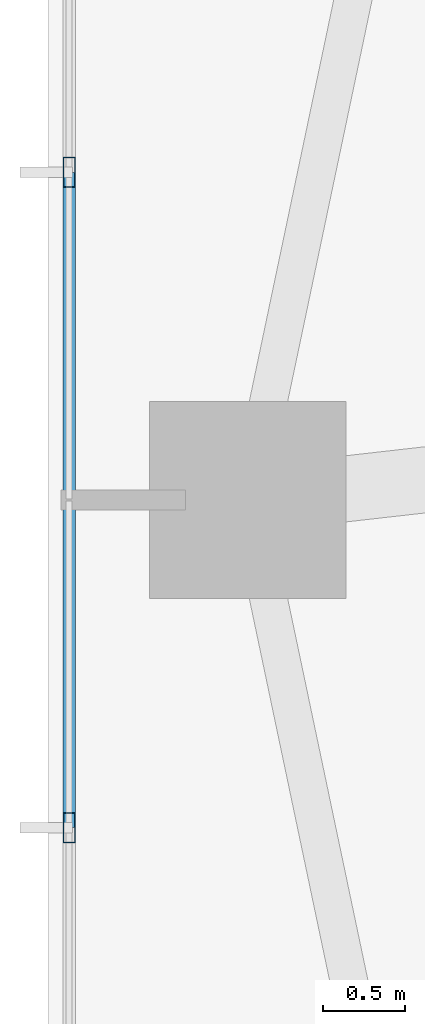
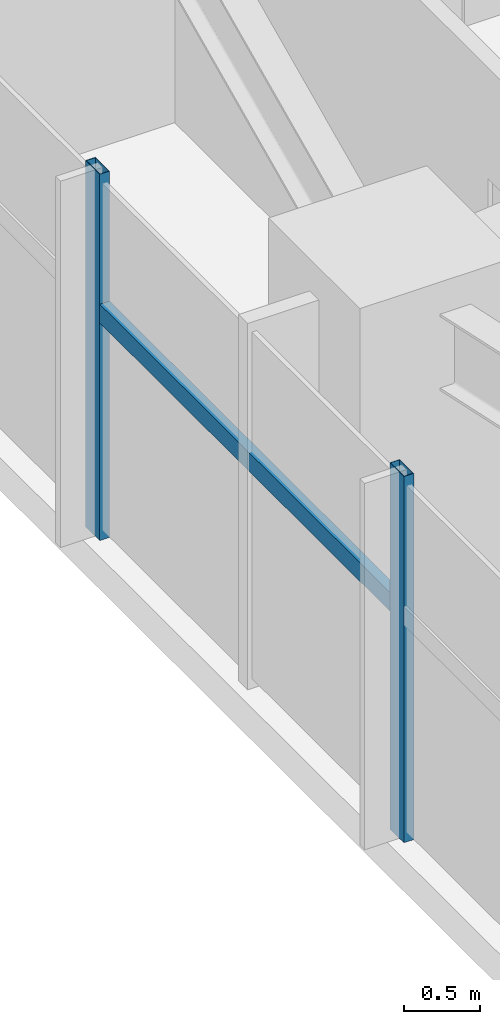
# One storey, part 4 of 25: 3 members, 1 element without a shape of its own.
"""IFC4 building model written with IfcOpenShell, lengths in metres."""

from ifc_helpers import new_model, si_unit, direction, frame, origin, origin_2d, place, context, subcontext, project, spatial, hollow_rectangle, extrude, source, transform, mapped, material, material_profile, profile_set, type_object, type_shapes, element, aggregate, save


model = new_model("IFC4")

# Units and contexts
model_context = context("Model", 3, precision=1e-05, world=origin(), true_north=direction((0.0, 1.0)))
body_context = subcontext(model_context, "Body", "Model", "MODEL_VIEW")
ifc_project = project(units=[si_unit("LENGTHUNIT", "METRE"), si_unit("AREAUNIT", "SQUARE_METRE"), si_unit("VOLUMEUNIT", "CUBIC_METRE"), si_unit("PLANEANGLEUNIT", "RADIAN"), si_unit("MASSUNIT", "GRAM", prefix="KILO")], contexts=[model_context])

# Site, building, storey
site_placement = place(None, origin())
site = spatial("IfcSite", under=ifc_project, at=site_placement, CompositionType="ELEMENT")
building_placement = place(site_placement, origin())
building = spatial("IfcBuilding", under=site, at=building_placement, Name="Astriad Promenade Condominiums", CompositionType="ELEMENT")
storey_placement = place(building_placement, frame((0.0, 0.0, 42.199951171875)))
storey = spatial("IfcBuildingStorey", under=building, at=storey_placement, Name="L11", CompositionType="ELEMENT", Elevation=42.199951171875)

# Curtain wall, members
ifc_material_1 = material(Name="Anodised aluminium Black Dark Glass Unitised", Category="aluminium")
curtain_wall_type = type_object("IfcCurtainWallType", Name="CW-B1-DARK", PredefinedType="USERDEFINED", material=ifc_material_1)
curtain_wall_placement = place(storey_placement, origin())
curtain_wall = element("IfcCurtainWall", 1, at=curtain_wall_placement, inside=storey, type_object=curtain_wall_type, Name="CW-L11-W", ObjectType="UNITISED_CURTAIN_WALL", PredefinedType="USERDEFINED")
ifc_material_2 = material(Name="Anodised aluminium 6063-T6 Black", Category="aluminium")
ifc_material_profile_1 = material_profile(ifc_material_2, hollow_rectangle(XDim=0.074951171875, YDim=0.18505859375, WallThickness=0.00439453125, at=origin_2d()), Name="ALU-MUL-75X185")
ifc_profile_set_1 = profile_set([ifc_material_profile_1], Name="Anodised aluminium 6063-T6 Black")
member_type_1 = type_object("IfcMemberType", Name="MUL-ALU-MUL-75X185", PredefinedType="MULLION", material=ifc_profile_set_1)
shared_shape_1 = source(origin(), body_context, "Body", "SweptSolid", [
    extrude(hollow_rectangle(XDim=0.074951171875, YDim=0.18505859375, WallThickness=0.00439453125, at=origin_2d()), origin(), (0.0, 0.0, 1.0), 2.93994140625),
])
type_shapes(member_type_1, [shared_shape_1])
member_1_placement = place(storey_placement, frame((5.929931640625, 13.199951171875, 0.0), z_axis=(0.0, 0.0, 1.0), x_axis=(1.0, 0.0, 0.0)))
member_1 = element("IfcMember", 2, at=member_1_placement, type_object=member_type_1, Name="CW-L11-W-MUL-02", PredefinedType="MULLION", context=body_context, shape_type="MappedRepresentation", body=[
    mapped(shared_shape_1, transform((0.0, 0.0, 0.0), scale=1.0)),
])
member_2_placement = place(storey_placement, frame((5.929931640625, 17.199951171875, 0.0), z_axis=(0.0, 0.0, 1.0), x_axis=(1.0, 0.0, 0.0)))
member_2 = element("IfcMember", 3, at=member_2_placement, type_object=member_type_1, Name="CW-L11-W-MUL-03", PredefinedType="MULLION", context=body_context, shape_type="MappedRepresentation", body=[
    mapped(shared_shape_1, transform((0.0, 0.0, 0.0), scale=1.0)),
])
ifc_material_profile_2 = material_profile(ifc_material_2, hollow_rectangle(XDim=0.074951171875, YDim=0.14990234375, WallThickness=0.004150390625, at=origin_2d()), Name="ALU-TRN-75X150")
ifc_profile_set_2 = profile_set([ifc_material_profile_2], Name="Anodised aluminium 6063-T6 Black")
member_type_2 = type_object("IfcMemberType", Name="TRN-ALU-TRN-75X150", PredefinedType="USERDEFINED", material=ifc_profile_set_2)
shared_shape_2 = source(origin(), body_context, "Body", "SweptSolid", [
    extrude(hollow_rectangle(XDim=0.074951171875, YDim=0.14990234375, WallThickness=0.004150390625, at=origin_2d()), origin(), (0.0, 0.0, 1.0), 4.0),
])
type_shapes(member_type_2, [shared_shape_2])
member_3_placement = place(storey_placement, frame((5.929931640625, 13.199951171875, 1.82275390625), z_axis=(0.0, 1.0, 0.0), x_axis=(-1.0, 0.0, 0.0)))
member_3 = element("IfcMember", 4, at=member_3_placement, type_object=member_type_2, Name="CW-L11-W-TRN-02-0", ObjectType="TRANSOM", PredefinedType="USERDEFINED", context=body_context, shape_type="MappedRepresentation", body=[
    mapped(shared_shape_2, transform((0.0, 0.0, 0.0), scale=1.0)),
])
aggregate(curtain_wall, [member_1, member_2, member_3])

save(model, "model.ifc")
